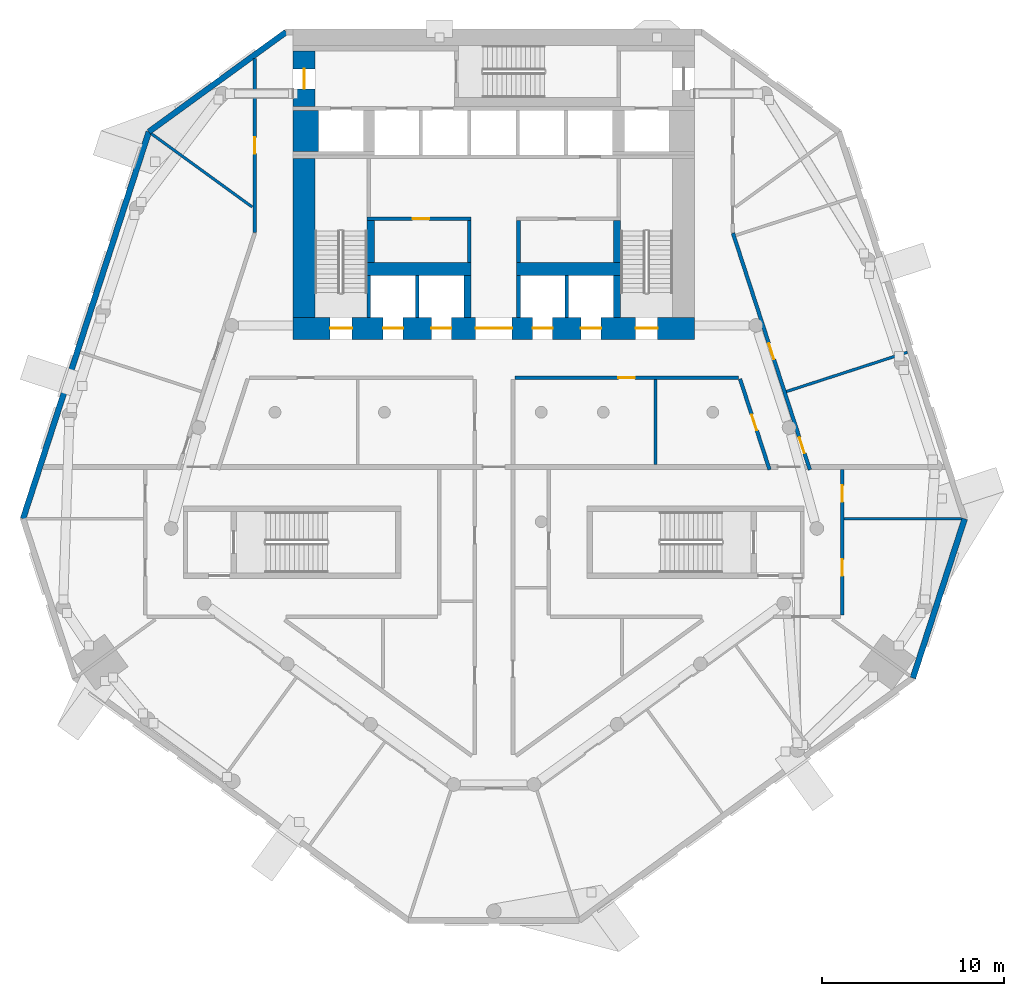
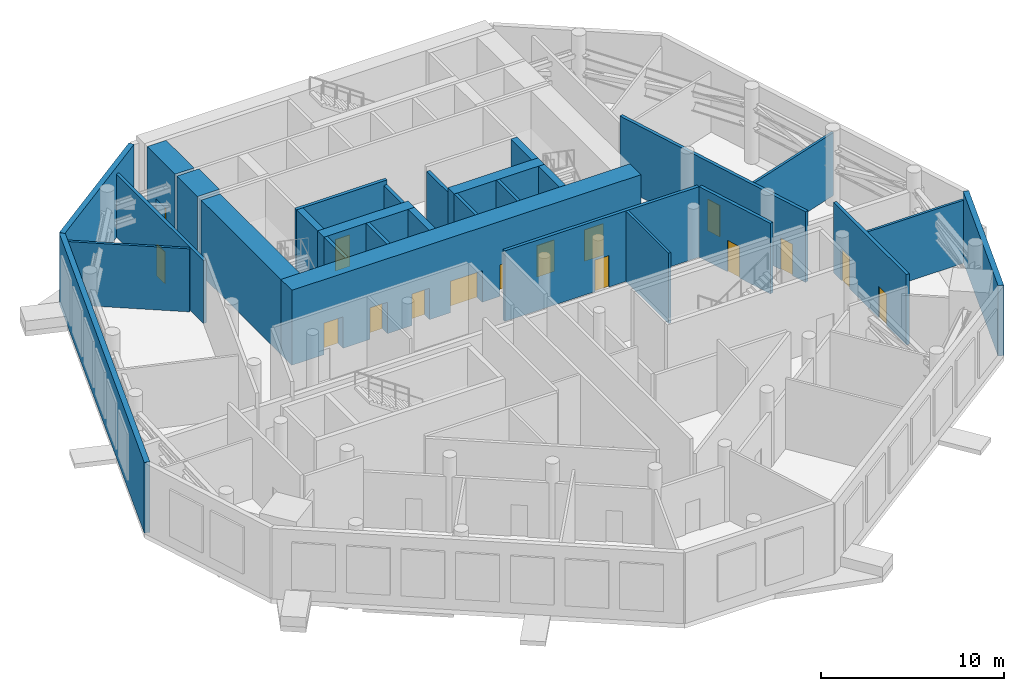
# One storey, part 8 of 15: 29 walls, 16 doors, 16 openings.
"""IFC4 building model written with IfcOpenShell, lengths in metres."""

import ifcopenshell
import ifcopenshell.guid

model = None  # the IFC model being written
_history = None  # IfcOwnerHistory: only IFC2X3 demands one
_inside = {}  # id of a spatial element -> (the spatial element, [elements in it])
_under = {}  # id of a project, library or spatial element -> (it, [spatial elements below it])
_declared = {}  # id of a project -> (the project, [libraries it declares])
_typed = {}  # id of a type object -> (the type object, [elements of that type])
_made_of = {}  # id of a material, layer set ... -> (it, [elements and type objects made of it])


def new_model(schema):
    """Start an empty IFC model of exactly this schema.

    Asked for "IFC4X3", IfcOpenShell would pick the latest addendum, in which some entities
    have other attributes; the version numbers below select the first issue.
    IFC2X3 requires an IfcOwnerHistory on every rooted entity: one is made here for all.
    """
    global model, _history
    if schema == "IFC4X3":
        model = ifcopenshell.file(schema_version=(4, 3, 0, 0))
    else:
        model = ifcopenshell.file(schema=schema)
    _inside.clear()
    _under.clear()
    _declared.clear()
    _typed.clear()
    _made_of.clear()
    _history = None
    if model.schema == "IFC2X3":
        org = make("IfcOrganization", Name="unknown")
        user = make(
            "IfcPersonAndOrganization",
            ThePerson=make("IfcPerson", FamilyName="unknown"),
            TheOrganization=org,
        )
        app = make(
            "IfcApplication",
            ApplicationDeveloper=org,
            Version="unknown",
            ApplicationFullName="unknown",
            ApplicationIdentifier="unknown",
        )
        _history = make(
            "IfcOwnerHistory",
            OwningUser=user,
            OwningApplication=app,
            ChangeAction="ADDED",
            CreationDate=0,
        )
    return model


def make(cls, **values):
    """One entity of the class cls with the attributes given. An attribute that is None is left unset."""
    return model.create_entity(
        cls, **{name: value for name, value in values.items() if value is not None}
    )


def rooted(cls, **values):
    """An entity with a GlobalId (a new one), such as an element, a storey or a relation."""
    return make(cls, GlobalId=ifcopenshell.guid.new(), OwnerHistory=_history, **values)


def si_unit(unit_type, name, prefix=None):
    """IfcSIUnit, for example si_unit("LENGTHUNIT", "METRE", prefix="MILLI")."""
    return make("IfcSIUnit", UnitType=unit_type, Prefix=prefix, Name=name)


def assignment(units):
    """IfcUnitAssignment: the units of a project."""
    return None if units is None else make("IfcUnitAssignment", Units=units)


def point(xyz):
    """IfcCartesianPoint."""
    return None if xyz is None else make("IfcCartesianPoint", Coordinates=xyz)


def direction(xyz):
    """IfcDirection."""
    return None if xyz is None else make("IfcDirection", DirectionRatios=xyz)


def frame(location, z_axis=None, x_axis=None):
    """IfcAxis2Placement3D, a coordinate frame: its origin and axes. An axis left out is left unset."""
    return make(
        "IfcAxis2Placement3D",
        Location=point(location),
        Axis=direction(z_axis),
        RefDirection=direction(x_axis),
    )


def frame_2d(location, x_axis=None):
    """IfcAxis2Placement2D, a coordinate frame in the plane: its origin and x axis."""
    return make(
        "IfcAxis2Placement2D", Location=point(location), RefDirection=direction(x_axis)
    )


def origin():
    """The frame at (0, 0, 0) with its axes left unset."""
    return frame((0.0, 0.0, 0.0))


def place(relative_to, where):
    """IfcLocalPlacement: puts the frame where relative to a parent placement (None: the world)."""
    return make(
        "IfcLocalPlacement", PlacementRelTo=relative_to, RelativePlacement=where
    )


def context(
    kind, dimensions, precision=None, world=None, true_north=None, identifier=None
):
    """IfcGeometricRepresentationContext, for example the 3D "Model" context."""
    return make(
        "IfcGeometricRepresentationContext",
        ContextIdentifier=identifier,
        ContextType=kind,
        CoordinateSpaceDimension=dimensions,
        Precision=precision,
        WorldCoordinateSystem=world,
        TrueNorth=true_north,
    )


def subcontext(parent, identifier, kind, view, scale=None):
    """IfcGeometricRepresentationSubContext, for example "Body" below "Model"."""
    return make(
        "IfcGeometricRepresentationSubContext",
        ContextIdentifier=identifier,
        ContextType=kind,
        ParentContext=parent,
        TargetScale=scale,
        TargetView=view,
    )


def project(units=None, contexts=None):
    """IfcProject with its units and contexts."""
    return rooted(
        "IfcProject",
        Name="project",
        RepresentationContexts=contexts,
        UnitsInContext=assignment(units),
    )


def spatial(cls, under=None, at=None, **own):
    """A site, building, storey or space (cls), placed at a placement, below another one or the project."""
    s = rooted(cls, ObjectPlacement=at, **own)
    if under is not None:
        _under.setdefault(under.id(), (under, []))[1].append(s)
    return s


def profile(cls, at=None, kind="AREA", **sizes):
    """A parametric profile (cls). Its sizes go by their IFC names, for example OverallWidth=200.0."""
    return make(cls, ProfileType=kind, Position=at, **sizes)


def rectangle(**sizes):
    """IfcRectangleProfileDef."""
    return profile("IfcRectangleProfileDef", **sizes)


def extrude(swept, where, along, depth):
    """IfcExtrudedAreaSolid: the profile swept, set in the frame where, extruded along a direction by depth."""
    return make(
        "IfcExtrudedAreaSolid",
        SweptArea=swept,
        Position=where,
        ExtrudedDirection=direction(along),
        Depth=depth,
    )


def shape(context_of_items, identifier, shape_type, items):
    """IfcShapeRepresentation: the items that make up one representation, for example the "Body"."""
    return make(
        "IfcShapeRepresentation",
        ContextOfItems=context_of_items,
        RepresentationIdentifier=identifier,
        RepresentationType=shape_type,
        Items=items,
    )


def material(Name=None, Category=None):
    """IfcMaterial."""
    return make("IfcMaterial", Name=Name, Category=Category)


def layer(
    of_material, thickness, ventilated=None, Name=None, Category=None, Priority=None
):
    """IfcMaterialLayer: one layer of a wall or slab, of a material (None: an air gap)."""
    return make(
        "IfcMaterialLayer",
        Material=of_material,
        LayerThickness=thickness,
        IsVentilated=ventilated,
        Name=Name,
        Category=Category,
        Priority=Priority,
    )


def layer_set(layers, Name=None):
    """IfcMaterialLayerSet."""
    return make("IfcMaterialLayerSet", MaterialLayers=layers, LayerSetName=Name)


def made_of(thing, what):
    """Note that an element or type object is made of a material, layer set ...; save() writes the relation."""
    if what is not None:
        _made_of.setdefault(what.id(), (what, []))[1].append(thing)
    return thing


def type_object(cls, material=None, **own):
    """A type object (cls), such as IfcWallType, which elements share."""
    return made_of(rooted(cls, **own), material)


def element(
    cls,
    number,
    at=None,
    inside=None,
    cuts=None,
    type_object=None,
    material=None,
    context=None,
    identifier="Body",
    shape_type=None,
    held_by="IfcProductDefinitionShape",
    body=None,
    shapes=None,
    **own,
):
    """One element of the class cls, such as IfcWall. Its Tag is "e" and its number.

    at: its placement. inside: the storey or other place that contains it. cuts: it is an
    opening in that element (IfcRelVoidsElement). A single representation is given by context,
    identifier, shape_type and body (its items); several are given by shapes. held_by: the class
    of the entity that holds the representations. save() writes the other relations.
    """
    e = rooted(cls, Tag="e%d" % number, ObjectPlacement=at, **own)
    if body is not None:
        shapes = [shape(context, identifier, shape_type, body)]
    if shapes is not None:
        e.Representation = make(held_by, Representations=shapes)
    if inside is not None:
        _inside.setdefault(inside.id(), (inside, []))[1].append(e)
    if cuts is not None:
        rooted(
            "IfcRelVoidsElement", RelatingBuildingElement=cuts, RelatedOpeningElement=e
        )
    if type_object is not None:
        _typed.setdefault(type_object.id(), (type_object, []))[1].append(e)
    return made_of(e, material)


def fill(opening, filler):
    """IfcRelFillsElement: the door or window that sits in an opening."""
    return rooted(
        "IfcRelFillsElement",
        RelatingOpeningElement=opening,
        RelatedBuildingElement=filler,
    )


def aggregate(whole, parts):
    """IfcRelAggregates: a whole, such as a stair, and the parts it consists of."""
    return rooted("IfcRelAggregates", RelatingObject=whole, RelatedObjects=parts)


def save(model, path):
    """Write the relations noted so far, then the file.

    IfcRelAggregates (storeys below a building ...), IfcRelContainedInSpatialStructure (elements
    in a storey), IfcRelDefinesByType, IfcRelAssociatesMaterial and IfcRelDeclares: one each for
    every whole, place, type object, material and project.
    """
    for whole, parts in _under.values():
        aggregate(whole, parts)
    for where, things in _inside.values():
        rooted(
            "IfcRelContainedInSpatialStructure",
            RelatedElements=things,
            RelatingStructure=where,
        )
    for kind, things in _typed.values():
        rooted("IfcRelDefinesByType", RelatedObjects=things, RelatingType=kind)
    for what, things in _made_of.values():
        rooted("IfcRelAssociatesMaterial", RelatedObjects=things, RelatingMaterial=what)
    for by, libraries in _declared.values():
        rooted("IfcRelDeclares", RelatingContext=by, RelatedDefinitions=libraries)
    model.write(path)


model = new_model("IFC4")

# Units and contexts
model_context = context("Model", 3, precision=1e-05, world=origin(), true_north=direction((0.0, 1.0)))
body_context = subcontext(model_context, "Body", "Model", "MODEL_VIEW")
ifc_project = project(units=[si_unit("LENGTHUNIT", "METRE"), si_unit("AREAUNIT", "SQUARE_METRE"), si_unit("VOLUMEUNIT", "CUBIC_METRE"), si_unit("PLANEANGLEUNIT", "RADIAN"), si_unit("MASSUNIT", "GRAM", prefix="KILO")], contexts=[model_context])

# Site, building, storey
site_placement = place(None, origin())
site = spatial("IfcSite", under=ifc_project, at=site_placement, CompositionType="ELEMENT")
building_placement = place(site_placement, origin())
building = spatial("IfcBuilding", under=site, at=building_placement, Name="White Candle Pilgrim Tower", CompositionType="ELEMENT")
storey_placement = place(building_placement, frame((0.0, 0.0, 85.800048828125)))
storey = spatial("IfcBuildingStorey", under=building, at=storey_placement, Name="L18", CompositionType="ELEMENT", Elevation=85.800048828125)

# Wall, opening, door
ifc_material_1 = material(Name="Concrete C70/85", Category="concrete")
ifc_layer_1 = layer(ifc_material_1, 1.199951171875)
ifc_layer_set_1 = layer_set([ifc_layer_1], Name="Core wall 1200 mm Concrete C70/85")
wall_type_1 = type_object("IfcWallType", Name="Core wall 1200 mm Concrete C70/85", PredefinedType="SHEAR", material=ifc_layer_set_1)
wall_1_placement = place(storey_placement, frame((59.60009765625, 83.75, 0.0), z_axis=(0.0, 0.0, 1.0), x_axis=(0.0, 1.0, 0.0)))
wall_1 = element("IfcWall", 1, at=wall_1_placement, inside=storey, type_object=wall_type_1, Name="WL-L18-C42", PredefinedType="SHEAR", context=body_context, shape_type="SweptSolid", body=[
    extrude(rectangle(XDim=3.050048828125, YDim=1.199951171875, at=frame_2d((1.52490234375, 0.0))), origin(), (0.0, 0.0, 1.0), 5.0),
])
opening_1_placement = place(wall_1_placement, frame((0.97509765625, 0.0, 0.0)))
opening_1 = element("IfcOpeningElement", 2, at=opening_1_placement, cuts=wall_1, Name="Opening L18-005", PredefinedType="OPENING", context=body_context, shape_type="SweptSolid", body=[
    extrude(rectangle(XDim=1.10009765625, YDim=2.10009765625, at=frame_2d((0.550048828125, 1.050048828125))), frame((0.0, 0.60986328125, 0.0), z_axis=(0.0, -1.0, 0.0), x_axis=(1.0, 0.0, 0.0)), (0.0, 0.0, 1.0), 1.219970703125),
])
ifc_material_2 = material(Name="Steel door leaf", Category="steel")
door_type_1 = type_object("IfcDoorType", Name="Fire door 1100 x 2100 EI 60", OperationType="NOTDEFINED", PredefinedType="DOOR", material=ifc_material_2)
door_1_placement = place(opening_1_placement, origin())
door_1 = element("IfcDoor", 3, at=door_1_placement, inside=storey, type_object=door_type_1, Name="Door L18-005", OperationType="SINGLE_SWING_LEFT", OverallHeight=2.10009765625, OverallWidth=1.10009765625, PredefinedType="DOOR", context=body_context, shape_type="SweptSolid", body=[
    extrude(rectangle(XDim=1.10009765625, YDim=2.10009765625, at=frame_2d((0.550048828125, 1.050048828125))), frame((0.0, 0.02490234375, 0.0), z_axis=(0.0, -1.0, 0.0), x_axis=(1.0, 0.0, 0.0)), (0.0, 0.0, 1.0), 0.050048828125),
])
fill(opening_1, door_1)

# Wall
ifc_layer_2 = layer(ifc_material_1, 1.39990234375)
ifc_layer_set_2 = layer_set([ifc_layer_2], Name="Core wall 1400 mm Concrete C70/85")
wall_type_2 = type_object("IfcWallType", Name="Core wall 1400 mm Concrete C70/85", PredefinedType="SHEAR", material=ifc_layer_set_2)
wall_2_placement = place(storey_placement, frame((59.699951171875, 81.300048828125, 0.0), z_axis=(0.0, 0.0, 1.0), x_axis=(0.0, 1.0, 0.0)))
element("IfcWall", 4, at=wall_2_placement, inside=storey, type_object=wall_type_2, Name="WL-L18-C37", PredefinedType="SHEAR", context=body_context, shape_type="SweptSolid", body=[
    extrude(rectangle(XDim=2.25, YDim=1.39990234375, at=frame_2d((1.125, 0.0))), origin(), (0.0, 0.0, 1.0), 5.0),
])

# Wall, opening, door
ifc_material_3 = material(Name="Gypsum board on steel studs", Category="steel")
ifc_layer_3 = layer(ifc_material_3, 0.199951171875)
ifc_layer_set_3 = layer_set([ifc_layer_3], Name="Corridor wall 200 mm EI 45")
wall_type_3 = type_object("IfcWallType", Name="Corridor wall 200 mm EI 45", PredefinedType="PARTITIONING", material=ifc_layer_set_3)
wall_3_placement = place(storey_placement, frame((56.89990234375, 76.84912109375, 0.0), z_axis=(0.0, 0.0, 1.0), x_axis=(0.0, 1.0, 0.0)))
wall_3 = element("IfcWall", 5, at=wall_3_placement, inside=storey, type_object=wall_type_3, Name="WL-L18-P003", PredefinedType="PARTITIONING", context=body_context, shape_type="SweptSolid", body=[
    extrude(rectangle(XDim=9.547119140625, YDim=0.199951171875, at=frame_2d((4.7734375, 0.0))), origin(), (0.0, 0.0, 1.0), 4.199951171875),
])
opening_2_placement = place(wall_3_placement, frame((4.323486328125, 0.0, 0.0)))
opening_2 = element("IfcOpeningElement", 6, at=opening_2_placement, cuts=wall_3, Name="Opening L18-121", PredefinedType="OPENING", context=body_context, shape_type="SweptSolid", body=[
    extrude(rectangle(XDim=0.89990234375, YDim=2.10009765625, at=frame_2d((0.449951171875, 1.050048828125))), frame((0.0, 0.10986328125, 0.0), z_axis=(0.0, -1.0, 0.0), x_axis=(1.0, 0.0, 0.0)), (0.0, 0.0, 1.0), 0.219970703125),
])
door_type_2 = type_object("IfcDoorType", Name="Fire door 900 x 2100 EI 30", OperationType="NOTDEFINED", PredefinedType="DOOR", material=ifc_material_2)
door_2_placement = place(opening_2_placement, origin())
door_2 = element("IfcDoor", 7, at=door_2_placement, inside=storey, type_object=door_type_2, Name="Door L18-121", OperationType="SINGLE_SWING_LEFT", OverallHeight=2.10009765625, OverallWidth=0.89990234375, PredefinedType="DOOR", context=body_context, shape_type="SweptSolid", body=[
    extrude(rectangle(XDim=0.89990234375, YDim=2.10009765625, at=frame_2d((0.449951171875, 1.050048828125))), frame((0.0, 0.02490234375, 0.0), z_axis=(0.0, -1.0, 0.0), x_axis=(1.0, 0.0, 0.0)), (0.0, 0.0, 1.0), 0.050048828125),
])
fill(opening_2, door_2)

# Wall, openings, doors
wall_4_placement = place(storey_placement, frame((83.10498046875, 76.818115234375, 0.0), z_axis=(0.0, 0.0, 1.0), x_axis=(0.309020889227, -0.951055250772, 0.0)))
wall_4 = element("IfcWall", 8, at=wall_4_placement, inside=storey, type_object=wall_type_3, Name="WL-L18-P005", PredefinedType="PARTITIONING", context=body_context, shape_type="SweptSolid", body=[
    extrude(rectangle(XDim=13.635498046875, YDim=0.199951171875, at=frame_2d((6.81787109375, 0.0))), origin(), (0.0, 0.0, 1.0), 4.699951171875),
])
opening_3_placement = place(wall_4_placement, frame((6.36767578125, 0.0, 0.0)))
opening_3 = element("IfcOpeningElement", 9, at=opening_3_placement, cuts=wall_4, Name="Opening L18-124", PredefinedType="OPENING", context=body_context, shape_type="SweptSolid", body=[
    extrude(rectangle(XDim=0.89990234375, YDim=2.10009765625, at=frame_2d((0.449951171875, 1.050048828125))), frame((0.0, 0.10986328125, 0.0), z_axis=(0.0, -1.0, 0.0), x_axis=(1.0, 0.0, 0.0)), (0.0, 0.0, 1.0), 0.219970703125),
])
opening_4_placement = place(wall_4_placement, frame((11.784423828125, 0.0, 0.0)))
opening_4 = element("IfcOpeningElement", 10, at=opening_4_placement, cuts=wall_4, Name="Opening L18-125", PredefinedType="OPENING", context=body_context, shape_type="SweptSolid", body=[
    extrude(rectangle(XDim=0.89990234375, YDim=2.10009765625, at=frame_2d((0.449951171875, 1.050048828125))), frame((0.0, 0.10986328125, 0.0), z_axis=(0.0, -1.0, 0.0), x_axis=(1.0, 0.0, 0.0)), (0.0, 0.0, 1.0), 0.219970703125),
])
door_3_placement = place(opening_3_placement, origin())
door_3 = element("IfcDoor", 11, at=door_3_placement, inside=storey, type_object=door_type_2, Name="Door L18-124", OperationType="SINGLE_SWING_RIGHT", OverallHeight=2.10009765625, OverallWidth=0.89990234375, PredefinedType="DOOR", context=body_context, shape_type="SweptSolid", body=[
    extrude(rectangle(XDim=0.89990234375, YDim=2.10009765625, at=frame_2d((0.449951171875, 1.050048828125))), frame((0.0, 0.02490234375, 0.0), z_axis=(0.0, -1.0, 0.0), x_axis=(1.0, 0.0, 0.0)), (0.0, 0.0, 1.0), 0.050048828125),
])
fill(opening_3, door_3)
door_4_placement = place(opening_4_placement, origin())
door_4 = element("IfcDoor", 12, at=door_4_placement, inside=storey, type_object=door_type_2, Name="Door L18-125", OperationType="SINGLE_SWING_LEFT", OverallHeight=2.10009765625, OverallWidth=0.89990234375, PredefinedType="DOOR", context=body_context, shape_type="SweptSolid", body=[
    extrude(rectangle(XDim=0.89990234375, YDim=2.10009765625, at=frame_2d((0.449951171875, 1.050048828125))), frame((0.0, 0.02490234375, 0.0), z_axis=(0.0, -1.0, 0.0), x_axis=(1.0, 0.0, 0.0)), (0.0, 0.0, 1.0), 0.050048828125),
])
fill(opening_4, door_4)

wall_5_placement = place(storey_placement, frame((89.10009765625, 63.85009765625, 0.0), z_axis=(0.0, 0.0, 1.0), x_axis=(0.0, -1.0, 0.0)))
wall_5 = element("IfcWall", 13, at=wall_5_placement, inside=storey, type_object=wall_type_3, Name="WL-L18-P006", PredefinedType="PARTITIONING", context=body_context, shape_type="SweptSolid", body=[
    extrude(rectangle(XDim=7.9501953125, YDim=0.199951171875, at=frame_2d((3.97509765625, 0.0))), origin(), (0.0, 0.0, 1.0), 4.699951171875),
])
opening_5_placement = place(wall_5_placement, frame((4.918212890625, 0.0, 0.0)))
opening_5 = element("IfcOpeningElement", 14, at=opening_5_placement, cuts=wall_5, Name="Opening L18-109", PredefinedType="OPENING", context=body_context, shape_type="SweptSolid", body=[
    extrude(rectangle(XDim=0.89990234375, YDim=2.10009765625, at=frame_2d((0.449951171875, 1.050048828125))), frame((0.0, 0.10986328125, 0.0), z_axis=(0.0, -1.0, 0.0), x_axis=(1.0, 0.0, 0.0)), (0.0, 0.0, 1.0), 0.219970703125),
])
opening_6_placement = place(wall_5_placement, frame((0.855712890625, 0.0, 0.0)))
opening_6 = element("IfcOpeningElement", 15, at=opening_6_placement, cuts=wall_5, Name="Opening L18-126", PredefinedType="OPENING", context=body_context, shape_type="SweptSolid", body=[
    extrude(rectangle(XDim=0.89990234375, YDim=2.10009765625, at=frame_2d((0.449951171875, 1.050048828125))), frame((0.0, 0.10986328125, 0.0), z_axis=(0.0, -1.0, 0.0), x_axis=(1.0, 0.0, 0.0)), (0.0, 0.0, 1.0), 0.219970703125),
])
door_5_placement = place(opening_5_placement, origin())
door_5 = element("IfcDoor", 16, at=door_5_placement, inside=storey, type_object=door_type_2, Name="Door L18-109", OperationType="SINGLE_SWING_LEFT", OverallHeight=2.10009765625, OverallWidth=0.89990234375, PredefinedType="DOOR", context=body_context, shape_type="SweptSolid", body=[
    extrude(rectangle(XDim=0.89990234375, YDim=2.10009765625, at=frame_2d((0.449951171875, 1.050048828125))), frame((0.0, 0.02490234375, 0.0), z_axis=(0.0, -1.0, 0.0), x_axis=(1.0, 0.0, 0.0)), (0.0, 0.0, 1.0), 0.050048828125),
])
fill(opening_5, door_5)
door_6_placement = place(opening_6_placement, origin())
door_6 = element("IfcDoor", 17, at=door_6_placement, inside=storey, type_object=door_type_2, Name="Door L18-126", OperationType="SINGLE_SWING_RIGHT", OverallHeight=2.10009765625, OverallWidth=0.89990234375, PredefinedType="DOOR", context=body_context, shape_type="SweptSolid", body=[
    extrude(rectangle(XDim=0.89990234375, YDim=2.10009765625, at=frame_2d((0.449951171875, 1.050048828125))), frame((0.0, 0.02490234375, 0.0), z_axis=(0.0, -1.0, 0.0), x_axis=(1.0, 0.0, 0.0)), (0.0, 0.0, 1.0), 0.050048828125),
])
fill(opening_6, door_6)

# Wall, opening, door
wall_6_placement = place(storey_placement, frame((85.1103515625, 63.85009765625, 0.0), z_axis=(0.0, 0.0, 1.0), x_axis=(-0.309030204086, 0.951052224099, 0.0)))
wall_6 = element("IfcWall", 18, at=wall_6_placement, inside=storey, type_object=wall_type_3, Name="WL-L18-P013", PredefinedType="PARTITIONING", context=body_context, shape_type="SweptSolid", body=[
    extrude(rectangle(XDim=5.237060546875, YDim=0.199951171875, at=frame_2d((2.61865234375, 0.0))), origin(), (0.0, 0.0, 1.0), 4.699951171875),
])
opening_7_placement = place(wall_6_placement, frame((2.27001953125, 0.0, 0.0)))
opening_7 = element("IfcOpeningElement", 19, at=opening_7_placement, cuts=wall_6, Name="Opening L18-127", PredefinedType="OPENING", context=body_context, shape_type="SweptSolid", body=[
    extrude(rectangle(XDim=0.89990234375, YDim=2.10009765625, at=frame_2d((0.449951171875, 1.050048828125))), frame((0.0, 0.10986328125, 0.0), z_axis=(0.0, -1.0, 0.0), x_axis=(1.0, 0.0, 0.0)), (0.0, 0.0, 1.0), 0.219970703125),
])
door_7_placement = place(opening_7_placement, origin())
door_7 = element("IfcDoor", 20, at=door_7_placement, inside=storey, type_object=door_type_2, Name="Door L18-127", OperationType="SINGLE_SWING_LEFT", OverallHeight=2.10009765625, OverallWidth=0.89990234375, PredefinedType="DOOR", context=body_context, shape_type="SweptSolid", body=[
    extrude(rectangle(XDim=0.89990234375, YDim=2.10009765625, at=frame_2d((0.449951171875, 1.050048828125))), frame((0.0, 0.02490234375, 0.0), z_axis=(0.0, -1.0, 0.0), x_axis=(1.0, 0.0, 0.0)), (0.0, 0.0, 1.0), 0.050048828125),
])
fill(opening_7, door_7)

wall_7_placement = place(storey_placement, frame((83.39697265625, 68.89990234375, 0.0), z_axis=(0.0, 0.0, 1.0), x_axis=(-1.0, 0.0, 0.0)))
wall_7 = element("IfcWall", 21, at=wall_7_placement, inside=storey, type_object=wall_type_3, Name="WL-L18-P014", PredefinedType="PARTITIONING", context=body_context, shape_type="SweptSolid", body=[
    extrude(rectangle(XDim=12.2470703125, YDim=0.199951171875, at=frame_2d((6.12353515625, 0.0))), origin(), (0.0, 0.0, 1.0), 4.699951171875),
])
opening_8_placement = place(wall_7_placement, frame((5.673583984375, 0.0, 0.0)))
opening_8 = element("IfcOpeningElement", 22, at=opening_8_placement, cuts=wall_7, Name="Opening L18-128", PredefinedType="OPENING", context=body_context, shape_type="SweptSolid", body=[
    extrude(rectangle(XDim=0.89990234375, YDim=2.10009765625, at=frame_2d((0.449951171875, 1.050048828125))), frame((0.0, 0.10986328125, 0.0), z_axis=(0.0, -1.0, 0.0), x_axis=(1.0, 0.0, 0.0)), (0.0, 0.0, 1.0), 0.219970703125),
])
door_8_placement = place(opening_8_placement, origin())
door_8 = element("IfcDoor", 23, at=door_8_placement, inside=storey, type_object=door_type_2, Name="Door L18-128", OperationType="SINGLE_SWING_RIGHT", OverallHeight=2.10009765625, OverallWidth=0.89990234375, PredefinedType="DOOR", context=body_context, shape_type="SweptSolid", body=[
    extrude(rectangle(XDim=0.89990234375, YDim=2.10009765625, at=frame_2d((0.449951171875, 1.050048828125))), frame((0.0, 0.02490234375, 0.0), z_axis=(0.0, -1.0, 0.0), x_axis=(1.0, 0.0, 0.0)), (0.0, 0.0, 1.0), 0.050048828125),
])
fill(opening_8, door_8)

# Walls
ifc_material_4 = material(Name="Precast concrete C40/50", Category="concrete")
ifc_layer_4 = layer(ifc_material_4, 0.320068359375)
ifc_layer_set_4 = layer_set([ifc_layer_4], Name="Facade wall EW2 precast concrete C40/50 plant wall behind louvres")
wall_type_4 = type_object("IfcWallType", Name="Facade wall EW2 precast concrete C40/50 plant wall behind louvres", PredefinedType="SOLIDWALL", material=ifc_layer_set_4)
wall_8_placement = place(storey_placement, frame((92.96728515625, 52.43359375, 0.0), z_axis=(0.0, 0.0, 1.0), x_axis=(0.309021723461, 0.951054979709, 0.0)))
element("IfcWall", 24, at=wall_8_placement, inside=storey, type_object=wall_type_4, Name="Facade wall L18 E chamfer", PredefinedType="SOLIDWALL", context=body_context, shape_type="SweptSolid", body=[
    extrude(rectangle(XDim=9.179443359375, YDim=0.320068359375, at=frame_2d((4.58984375, 0.0))), origin(), (0.0, 0.0, 1.0), 4.699951171875),
])
wall_9_placement = place(storey_placement, frame((58.614990234375, 87.840087890625, 0.0), z_axis=(0.0, 0.0, 1.0), x_axis=(-0.809021884019, -0.587778522216, 0.0)))
element("IfcWall", 25, at=wall_9_placement, inside=storey, type_object=wall_type_4, Name="Facade wall L18 NW chamfer", PredefinedType="SOLIDWALL", context=body_context, shape_type="SweptSolid", body=[
    extrude(rectangle(XDim=9.3056640625, YDim=0.320068359375, at=frame_2d((4.65283203125, 0.0))), origin(), (0.0, 0.0, 1.0), 4.699951171875),
])
wall_10_placement = place(storey_placement, frame((51.08642578125, 82.370361328125, 0.0), z_axis=(0.0, 0.0, 1.0), x_axis=(-0.309015264684, -0.951057078304, 0.0)))
element("IfcWall", 26, at=wall_10_placement, inside=storey, type_object=wall_type_4, Name="Facade wall L18 WNW", PredefinedType="SOLIDWALL", context=body_context, shape_type="SweptSolid", body=[
    extrude(rectangle(XDim=22.2978515625, YDim=0.320068359375, at=frame_2d((11.14892578125, 0.0))), origin(), (0.0, 0.0, 1.0), 4.699951171875),
])
ifc_layer_5 = layer(ifc_material_3, 0.199951171875)
ifc_layer_set_5 = layer_set([ifc_layer_5], Name="Lobby wall 200 mm EI 60")
wall_type_5 = type_object("IfcWallType", Name="Lobby wall 200 mm EI 60", PredefinedType="PARTITIONING", material=ifc_layer_set_5)
for number, where, z_axis, x_axis, name in (
    (27, (68.64990234375, 75.199951171875, 0.0), (0.0, 0.0, 1.0), (0.0, 1.0, 0.0), "WL-L18-C23"),
    (28, (71.35009765625, 75.199951171875, 0.0), (0.0, 0.0, 1.0), (0.0, 1.0, 0.0), "WL-L18-C24"),
):
    element("IfcWall", number, at=place(storey_placement, frame(where, z_axis=z_axis, x_axis=x_axis)), inside=storey, type_object=wall_type_5, Name=name, PredefinedType="PARTITIONING", context=body_context, shape_type="SweptSolid", body=[
        extrude(rectangle(XDim=2.300048828125, YDim=0.199951171875, at=frame_2d((1.14990234375, 0.0))), origin(), (0.0, 0.0, 1.0), 4.699951171875),
    ])
ifc_layer_6 = layer(ifc_material_3, 0.14990234375)
ifc_layer_set_6 = layer_set([ifc_layer_6], Name="Partition 150 mm EI 60")
wall_type_6 = type_object("IfcWallType", Name="Partition 150 mm EI 60", PredefinedType="PARTITIONING", material=ifc_layer_set_6)
wall_11_placement = place(storey_placement, frame((51.22265625, 82.271484375, 0.0), z_axis=(0.0, 0.0, 1.0), x_axis=(0.809006128226, -0.587800207973, 0.0)))
element("IfcWall", 29, at=wall_11_placement, inside=storey, type_object=wall_type_6, Name="WL-L18-P027", PredefinedType="PARTITIONING", context=body_context, shape_type="SweptSolid", body=[
    extrude(rectangle(XDim=6.839599609375, YDim=0.14990234375, at=frame_2d((3.419921875, 0.0))), origin(), (0.0, 0.0, 1.0), 4.199951171875),
])
wall_12_placement = place(storey_placement, frame((95.635498046875, 61.163818359375, 0.0), z_axis=(0.0, 0.0, 1.0), x_axis=(-1.0, 0.0, 0.0)))
element("IfcWall", 30, at=wall_12_placement, inside=storey, type_object=wall_type_6, Name="WL-L18-P033", PredefinedType="PARTITIONING", context=body_context, shape_type="SweptSolid", body=[
    extrude(rectangle(XDim=6.435546875, YDim=0.14990234375, at=frame_2d((3.2177734375, 0.0))), origin(), (0.0, 0.0, 1.0), 4.199951171875),
])
wall_13_placement = place(storey_placement, frame((92.669921875, 70.291015625, 0.0), z_axis=(0.0, 0.0, 1.0), x_axis=(-0.951055400562, -0.309020428229, 0.0)))
element("IfcWall", 31, at=wall_13_placement, inside=storey, type_object=wall_type_6, Name="WL-L18-P040", PredefinedType="PARTITIONING", context=body_context, shape_type="SweptSolid", body=[
    extrude(rectangle(XDim=6.97998046875, YDim=0.14990234375, at=frame_2d((3.489990234375, 0.0))), origin(), (0.0, 0.0, 1.0), 4.199951171875),
])
wall_14_placement = place(storey_placement, frame((78.854248046875, 64.14990234375, 0.0), z_axis=(0.0, 0.0, 1.0), x_axis=(0.0, 1.0, 0.0)))
element("IfcWall", 32, at=wall_14_placement, inside=storey, type_object=wall_type_6, Name="WL-L18-P047", PredefinedType="PARTITIONING", context=body_context, shape_type="SweptSolid", body=[
    extrude(rectangle(XDim=4.650146484375, YDim=0.14990234375, at=frame_2d((2.3251953125, 0.0))), origin(), (0.0, 0.0, 1.0), 4.699951171875),
])
ifc_layer_7 = layer(ifc_material_1, 0.199951171875)
ifc_layer_set_7 = layer_set([ifc_layer_7], Name="Shaft wall 200 mm Concrete C70/85")
wall_type_7 = type_object("IfcWallType", Name="Shaft wall 200 mm Concrete C70/85", PredefinedType="SHEAR", material=ifc_layer_set_7)
for number, where, z_axis, x_axis, name in (
    (33, (65.800048828125, 72.199951171875, 0.0), (0.0, 0.0, 1.0), (0.0, 1.0, 0.0), "WL-L18-C14"),
    (34, (71.35009765625, 72.199951171875, 0.0), (0.0, 0.0, 1.0), (0.0, 1.0, 0.0), "WL-L18-C16"),
    (35, (74.0, 72.199951171875, 0.0), (0.0, 0.0, 1.0), (0.0, 1.0, 0.0), "WL-L18-C17"),
):
    element("IfcWall", number, at=place(storey_placement, frame(where, z_axis=z_axis, x_axis=x_axis)), inside=storey, type_object=wall_type_7, Name=name, PredefinedType="SHEAR", context=body_context, shape_type="SweptSolid", body=[
        extrude(rectangle(XDim=2.300048828125, YDim=0.199951171875, at=frame_2d((1.14990234375, 0.0))), origin(), (0.0, 0.0, 1.0), 5.0),
    ])
ifc_layer_8 = layer(ifc_material_1, 0.39990234375)
ifc_layer_set_8 = layer_set([ifc_layer_8], Name="Shaft wall 400 mm Concrete C70/85")
wall_type_8 = type_object("IfcWallType", Name="Shaft wall 400 mm Concrete C70/85", PredefinedType="SHEAR", material=ifc_layer_set_8)
wall_15_placement = place(storey_placement, frame((68.550048828125, 72.199951171875, 0.0), z_axis=(0.0, 0.0, 1.0), x_axis=(0.0, 1.0, 0.0)))
element("IfcWall", 36, at=wall_15_placement, inside=storey, type_object=wall_type_8, Name="WL-L18-C15", PredefinedType="SHEAR", context=body_context, shape_type="SweptSolid", body=[
    extrude(rectangle(XDim=2.300048828125, YDim=0.39990234375, at=frame_2d((1.14990234375, 0.0))), origin(), (0.0, 0.0, 1.0), 5.0),
])

# Wall, openings, doors
ifc_layer_9 = layer(ifc_material_1, 1.199951171875)
ifc_layer_set_9 = layer_set([ifc_layer_9], Name="Stair shaft wall 1200 mm Concrete C70/85")
wall_type_9 = type_object("IfcWallType", Name="Stair shaft wall 1200 mm Concrete C70/85", PredefinedType="SHEAR", material=ifc_layer_set_9)
wall_16_placement = place(storey_placement, frame((59.0, 71.60009765625, 0.0), z_axis=(0.0, 0.0, 1.0), x_axis=(1.0, 0.0, 0.0)))
wall_16 = element("IfcWall", 37, at=wall_16_placement, inside=storey, type_object=wall_type_9, Name="WL-L18-C11", PredefinedType="SHEAR", context=body_context, shape_type="SweptSolid", body=[
    extrude(rectangle(XDim=22.0, YDim=1.199951171875, at=frame_2d((11.0, 0.0))), origin(), (0.0, 0.0, 1.0), 5.0),
])
opening_9_placement = place(wall_16_placement, frame((2.02490234375, 0.0, 0.0)))
opening_9 = element("IfcOpeningElement", 38, at=opening_9_placement, cuts=wall_16, Name="Opening L18-001", PredefinedType="OPENING", context=body_context, shape_type="SweptSolid", body=[
    extrude(rectangle(XDim=1.199951171875, YDim=2.10009765625, at=frame_2d((0.60009765625, 1.050048828125))), frame((0.0, 0.60986328125, 0.0), z_axis=(0.0, -1.0, 0.0), x_axis=(1.0, 0.0, 0.0)), (0.0, 0.0, 1.0), 1.219970703125),
])
opening_10_placement = place(wall_16_placement, frame((18.77490234375, 0.0, 0.0)))
opening_10 = element("IfcOpeningElement", 39, at=opening_10_placement, cuts=wall_16, Name="Opening L18-002", PredefinedType="OPENING", context=body_context, shape_type="SweptSolid", body=[
    extrude(rectangle(XDim=1.199951171875, YDim=2.10009765625, at=frame_2d((0.60009765625, 1.050048828125))), frame((0.0, 0.60986328125, 0.0), z_axis=(0.0, -1.0, 0.0), x_axis=(1.0, 0.0, 0.0)), (0.0, 0.0, 1.0), 1.219970703125),
])
opening_11_placement = place(wall_16_placement, frame((10.0, 0.0, 0.0)))
opening_11 = element("IfcOpeningElement", 40, at=opening_11_placement, cuts=wall_16, Name="Opening L18-004", PredefinedType="OPENING", context=body_context, shape_type="SweptSolid", body=[
    extrude(rectangle(XDim=2.0, YDim=2.10009765625, at=frame_2d((1.0, 1.050048828125))), frame((0.0, 0.60986328125, 0.0), z_axis=(0.0, -1.0, 0.0), x_axis=(1.0, 0.0, 0.0)), (0.0, 0.0, 1.0), 1.219970703125),
])
opening_12_placement = place(wall_16_placement, frame((4.925048828125, 0.0, 0.0)))
opening_12 = element("IfcOpeningElement", 41, at=opening_12_placement, cuts=wall_16, Name="Opening L18-014", PredefinedType="OPENING", context=body_context, shape_type="SweptSolid", body=[
    extrude(rectangle(XDim=1.10009765625, YDim=2.10009765625, at=frame_2d((0.550048828125, 1.050048828125))), frame((0.0, 0.60986328125, 0.0), z_axis=(0.0, -1.0, 0.0), x_axis=(1.0, 0.0, 0.0)), (0.0, 0.0, 1.0), 1.219970703125),
])
opening_13_placement = place(wall_16_placement, frame((7.574951171875, 0.0, 0.0)))
opening_13 = element("IfcOpeningElement", 42, at=opening_13_placement, cuts=wall_16, Name="Opening L18-015", PredefinedType="OPENING", context=body_context, shape_type="SweptSolid", body=[
    extrude(rectangle(XDim=1.10009765625, YDim=2.10009765625, at=frame_2d((0.550048828125, 1.050048828125))), frame((0.0, 0.60986328125, 0.0), z_axis=(0.0, -1.0, 0.0), x_axis=(1.0, 0.0, 0.0)), (0.0, 0.0, 1.0), 1.219970703125),
])
opening_14_placement = place(wall_16_placement, frame((13.125, 0.0, 0.0)))
opening_14 = element("IfcOpeningElement", 43, at=opening_14_placement, cuts=wall_16, Name="Opening L18-016", PredefinedType="OPENING", context=body_context, shape_type="SweptSolid", body=[
    extrude(rectangle(XDim=1.10009765625, YDim=2.10009765625, at=frame_2d((0.550048828125, 1.050048828125))), frame((0.0, 0.60986328125, 0.0), z_axis=(0.0, -1.0, 0.0), x_axis=(1.0, 0.0, 0.0)), (0.0, 0.0, 1.0), 1.219970703125),
])
opening_15_placement = place(wall_16_placement, frame((15.77490234375, 0.0, 0.0)))
opening_15 = element("IfcOpeningElement", 44, at=opening_15_placement, cuts=wall_16, Name="Opening L18-017", PredefinedType="OPENING", context=body_context, shape_type="SweptSolid", body=[
    extrude(rectangle(XDim=1.10009765625, YDim=2.10009765625, at=frame_2d((0.550048828125, 1.050048828125))), frame((0.0, 0.60986328125, 0.0), z_axis=(0.0, -1.0, 0.0), x_axis=(1.0, 0.0, 0.0)), (0.0, 0.0, 1.0), 1.219970703125),
])
door_type_3 = type_object("IfcDoorType", Name="Fire door 1200 x 2100 EI 60", OperationType="NOTDEFINED", PredefinedType="DOOR", material=ifc_material_2)
door_9_placement = place(opening_9_placement, frame((1.199951171875, 0.0, 0.0), z_axis=(0.0, 0.0, 1.0), x_axis=(-1.0, 0.0, 0.0)))
door_9 = element("IfcDoor", 45, at=door_9_placement, inside=storey, type_object=door_type_3, Name="Door L18-001", OperationType="SINGLE_SWING_RIGHT", OverallHeight=2.10009765625, OverallWidth=1.199951171875, PredefinedType="DOOR", context=body_context, shape_type="SweptSolid", body=[
    extrude(rectangle(XDim=1.199951171875, YDim=2.10009765625, at=frame_2d((0.60009765625, 1.050048828125))), frame((0.0, 0.02490234375, 0.0), z_axis=(0.0, -1.0, 0.0), x_axis=(1.0, 0.0, 0.0)), (0.0, 0.0, 1.0), 0.050048828125),
])
fill(opening_9, door_9)
door_10_placement = place(opening_10_placement, frame((1.199951171875, 0.0, 0.0), z_axis=(0.0, 0.0, 1.0), x_axis=(-1.0, 0.0, 0.0)))
door_10 = element("IfcDoor", 46, at=door_10_placement, inside=storey, type_object=door_type_3, Name="Door L18-002", OperationType="SINGLE_SWING_LEFT", OverallHeight=2.10009765625, OverallWidth=1.199951171875, PredefinedType="DOOR", context=body_context, shape_type="SweptSolid", body=[
    extrude(rectangle(XDim=1.199951171875, YDim=2.10009765625, at=frame_2d((0.60009765625, 1.050048828125))), frame((0.0, 0.02490234375, 0.0), z_axis=(0.0, -1.0, 0.0), x_axis=(1.0, 0.0, 0.0)), (0.0, 0.0, 1.0), 0.050048828125),
])
fill(opening_10, door_10)
door_type_4 = type_object("IfcDoorType", Name="Fire door 2000 x 2100 EI 60", OperationType="NOTDEFINED", PredefinedType="DOOR", material=ifc_material_2)
door_11_placement = place(opening_11_placement, frame((2.0, 0.0, 0.0), z_axis=(0.0, 0.0, 1.0), x_axis=(-1.0, 0.0, 0.0)))
door_11 = element("IfcDoor", 47, at=door_11_placement, inside=storey, type_object=door_type_4, Name="Door L18-004", OperationType="DOUBLE_DOOR_SINGLE_SWING", OverallHeight=2.10009765625, OverallWidth=2.0, PredefinedType="DOOR", context=body_context, shape_type="SweptSolid", body=[
    extrude(rectangle(XDim=2.0, YDim=2.10009765625, at=frame_2d((1.0, 1.050048828125))), frame((0.0, 0.02490234375, 0.0), z_axis=(0.0, -1.0, 0.0), x_axis=(1.0, 0.0, 0.0)), (0.0, 0.0, 1.0), 0.050048828125),
])
fill(opening_11, door_11)
ifc_material_5 = material(Name="Stainless steel", Category="steel")
door_type_5 = type_object("IfcDoorType", Name="Lift landing door 1100 x 2100 E 60", OperationType="DOUBLE_DOOR_SLIDING", PredefinedType="DOOR", material=ifc_material_5)
door_12_placement = place(opening_12_placement, origin())
door_12 = element("IfcDoor", 48, at=door_12_placement, inside=storey, type_object=door_type_5, Name="Door L18-014", OperationType="DOUBLE_DOOR_SLIDING", OverallHeight=2.10009765625, OverallWidth=1.10009765625, PredefinedType="DOOR", context=body_context, shape_type="SweptSolid", body=[
    extrude(rectangle(XDim=1.10009765625, YDim=2.10009765625, at=frame_2d((0.550048828125, 1.050048828125))), frame((0.0, 0.02490234375, 0.0), z_axis=(0.0, -1.0, 0.0), x_axis=(1.0, 0.0, 0.0)), (0.0, 0.0, 1.0), 0.050048828125),
])
fill(opening_12, door_12)
door_13_placement = place(opening_13_placement, origin())
door_13 = element("IfcDoor", 49, at=door_13_placement, inside=storey, type_object=door_type_5, Name="Door L18-015", OperationType="DOUBLE_DOOR_SLIDING", OverallHeight=2.10009765625, OverallWidth=1.10009765625, PredefinedType="DOOR", context=body_context, shape_type="SweptSolid", body=[
    extrude(rectangle(XDim=1.10009765625, YDim=2.10009765625, at=frame_2d((0.550048828125, 1.050048828125))), frame((0.0, 0.02490234375, 0.0), z_axis=(0.0, -1.0, 0.0), x_axis=(1.0, 0.0, 0.0)), (0.0, 0.0, 1.0), 0.050048828125),
])
fill(opening_13, door_13)
door_14_placement = place(opening_14_placement, origin())
door_14 = element("IfcDoor", 50, at=door_14_placement, inside=storey, type_object=door_type_5, Name="Door L18-016", OperationType="DOUBLE_DOOR_SLIDING", OverallHeight=2.10009765625, OverallWidth=1.10009765625, PredefinedType="DOOR", context=body_context, shape_type="SweptSolid", body=[
    extrude(rectangle(XDim=1.10009765625, YDim=2.10009765625, at=frame_2d((0.550048828125, 1.050048828125))), frame((0.0, 0.02490234375, 0.0), z_axis=(0.0, -1.0, 0.0), x_axis=(1.0, 0.0, 0.0)), (0.0, 0.0, 1.0), 0.050048828125),
])
fill(opening_14, door_14)
door_15_placement = place(opening_15_placement, origin())
door_15 = element("IfcDoor", 51, at=door_15_placement, inside=storey, type_object=door_type_5, Name="Door L18-017", OperationType="DOUBLE_DOOR_SLIDING", OverallHeight=2.10009765625, OverallWidth=1.10009765625, PredefinedType="DOOR", context=body_context, shape_type="SweptSolid", body=[
    extrude(rectangle(XDim=1.10009765625, YDim=2.10009765625, at=frame_2d((0.550048828125, 1.050048828125))), frame((0.0, 0.02490234375, 0.0), z_axis=(0.0, -1.0, 0.0), x_axis=(1.0, 0.0, 0.0)), (0.0, 0.0, 1.0), 0.050048828125),
])
fill(opening_15, door_15)

# Walls
wall_17_placement = place(storey_placement, frame((59.60009765625, 72.199951171875, 0.0), z_axis=(0.0, 0.0, 1.0), x_axis=(0.0, 1.0, 0.0)))
element("IfcWall", 52, at=wall_17_placement, inside=storey, type_object=wall_type_9, Name="WL-L18-C12", PredefinedType="SHEAR", context=body_context, shape_type="SweptSolid", body=[
    extrude(rectangle(XDim=8.699951171875, YDim=1.199951171875, at=frame_2d((4.35009765625, 0.0))), origin(), (0.0, 0.0, 1.0), 5.0),
])
ifc_layer_10 = layer(ifc_material_1, 0.199951171875)
ifc_layer_set_10 = layer_set([ifc_layer_10], Name="Stair shaft wall 200 mm Concrete C70/85")
wall_type_10 = type_object("IfcWallType", Name="Stair shaft wall 200 mm Concrete C70/85", PredefinedType="SHEAR", material=ifc_layer_set_10)
wall_18_placement = place(storey_placement, frame((63.14990234375, 72.199951171875, 0.0), z_axis=(0.0, 0.0, 1.0), x_axis=(0.0, 1.0, 0.0)))
element("IfcWall", 53, at=wall_18_placement, inside=storey, type_object=wall_type_10, Name="WL-L18-C13", PredefinedType="SHEAR", context=body_context, shape_type="SweptSolid", body=[
    extrude(rectangle(XDim=2.300048828125, YDim=0.199951171875, at=frame_2d((1.14990234375, 0.0))), origin(), (0.0, 0.0, 1.0), 5.0),
])

# Wall, opening, door
wall_19_placement = place(storey_placement, frame((63.050048828125, 77.60009765625, 0.0), z_axis=(0.0, 0.0, 1.0), x_axis=(1.0, 0.0, 0.0)))
wall_19 = element("IfcWall", 54, at=wall_19_placement, inside=storey, type_object=wall_type_10, Name="WL-L18-C26", PredefinedType="SHEAR", context=body_context, shape_type="SweptSolid", body=[
    extrude(rectangle(XDim=5.699951171875, YDim=0.199951171875, at=frame_2d((2.85009765625, 0.0))), origin(), (0.0, 0.0, 1.0), 5.0),
])
opening_16_placement = place(wall_19_placement, frame((2.5, 0.0, 0.0)))
opening_16 = element("IfcOpeningElement", 55, at=opening_16_placement, cuts=wall_19, Name="Opening L18-020", PredefinedType="OPENING", context=body_context, shape_type="SweptSolid", body=[
    extrude(rectangle(XDim=0.89990234375, YDim=2.10009765625, at=frame_2d((0.449951171875, 1.050048828125))), frame((0.0, 0.10986328125, 0.0), z_axis=(0.0, -1.0, 0.0), x_axis=(1.0, 0.0, 0.0)), (0.0, 0.0, 1.0), 0.219970703125),
])
door_16_placement = place(opening_16_placement, origin())
door_16 = element("IfcDoor", 56, at=door_16_placement, inside=storey, type_object=door_type_2, Name="Door L18-020", OperationType="SINGLE_SWING_RIGHT", OverallHeight=2.10009765625, OverallWidth=0.89990234375, PredefinedType="DOOR", context=body_context, shape_type="SweptSolid", body=[
    extrude(rectangle(XDim=0.89990234375, YDim=2.10009765625, at=frame_2d((0.449951171875, 1.050048828125))), frame((0.0, 0.02490234375, 0.0), z_axis=(0.0, -1.0, 0.0), x_axis=(1.0, 0.0, 0.0)), (0.0, 0.0, 1.0), 0.050048828125),
])
fill(opening_16, door_16)

# Walls
ifc_layer_11 = layer(ifc_material_1, 0.39990234375)
ifc_layer_set_11 = layer_set([ifc_layer_11], Name="Stair shaft wall 400 mm Concrete C70/85")
wall_type_11 = type_object("IfcWallType", Name="Stair shaft wall 400 mm Concrete C70/85", PredefinedType="SHEAR", material=ifc_layer_set_11)
for number, where, z_axis, x_axis, name in (
    (57, (76.75, 72.199951171875, 0.0), (0.0, 0.0, 1.0), (0.0, 1.0, 0.0), "WL-L18-C18"),
    (58, (63.25, 75.199951171875, 0.0), (0.0, 0.0, 1.0), (0.0, 1.0, 0.0), "WL-L18-C22"),
    (59, (76.75, 75.199951171875, 0.0), (0.0, 0.0, 1.0), (0.0, 1.0, 0.0), "WL-L18-C25"),
):
    element("IfcWall", number, at=place(storey_placement, frame(where, z_axis=z_axis, x_axis=x_axis)), inside=storey, type_object=wall_type_11, Name=name, PredefinedType="SHEAR", context=body_context, shape_type="SweptSolid", body=[
        extrude(rectangle(XDim=2.300048828125, YDim=0.39990234375, at=frame_2d((1.14990234375, 0.0))), origin(), (0.0, 0.0, 1.0), 5.0),
    ])
ifc_layer_12 = layer(ifc_material_1, 0.699951171875)
ifc_layer_set_12 = layer_set([ifc_layer_12], Name="Stair shaft wall 700 mm Concrete C70/85")
wall_type_12 = type_object("IfcWallType", Name="Stair shaft wall 700 mm Concrete C70/85", PredefinedType="SHEAR", material=ifc_layer_set_12)
for number, where, z_axis, x_axis, name in (
    (60, (63.050048828125, 74.85009765625, 0.0), (0.0, 0.0, 1.0), (1.0, 0.0, 0.0), "WL-L18-C20"),
    (61, (71.25, 74.85009765625, 0.0), (0.0, 0.0, 1.0), (1.0, 0.0, 0.0), "WL-L18-C21"),
):
    element("IfcWall", number, at=place(storey_placement, frame(where, z_axis=z_axis, x_axis=x_axis)), inside=storey, type_object=wall_type_12, Name=name, PredefinedType="SHEAR", context=body_context, shape_type="SweptSolid", body=[
        extrude(rectangle(XDim=5.699951171875, YDim=0.699951171875, at=frame_2d((2.85009765625, 0.0))), origin(), (0.0, 0.0, 1.0), 5.0),
    ])

save(model, "model.ifc")
